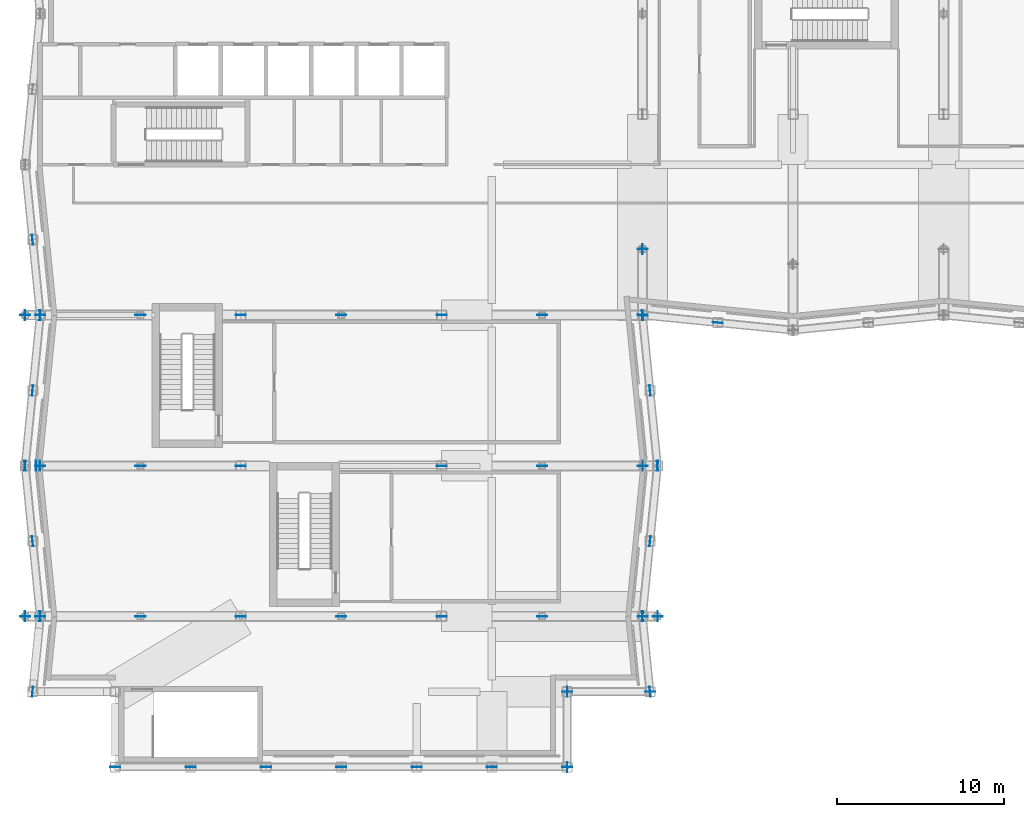
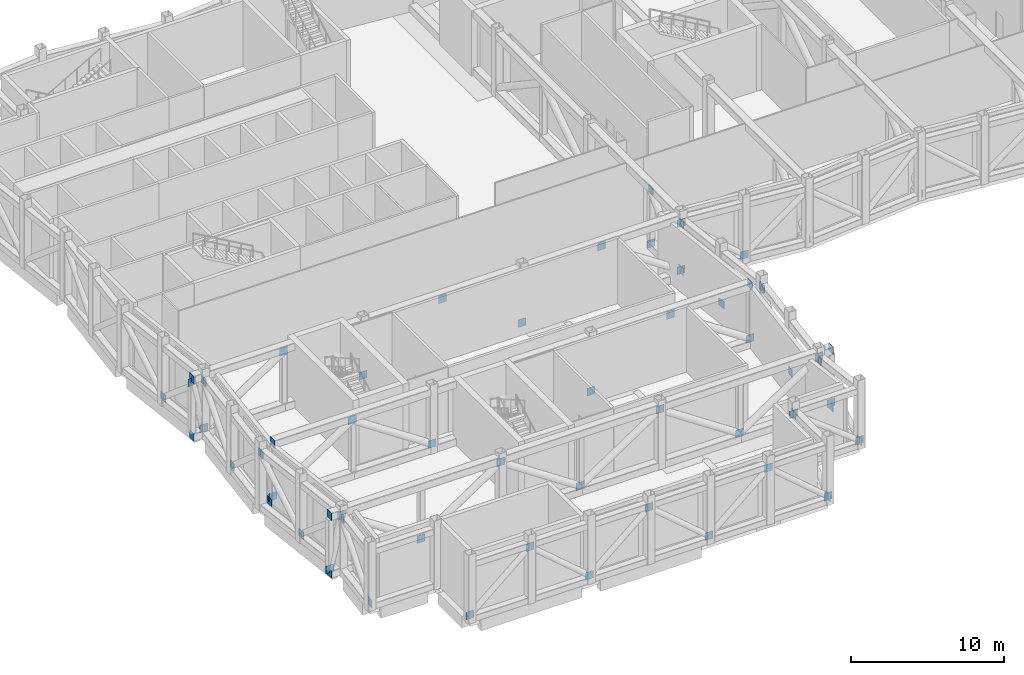
# One storey, part 14 of 22: 66 discrete accessories.
"""IFC4 building model written with IfcOpenShell, lengths in metres."""

import ifcopenshell
import ifcopenshell.guid

model = None  # the IFC model being written
_history = None  # IfcOwnerHistory: only IFC2X3 demands one
_inside = {}  # id of a spatial element -> (the spatial element, [elements in it])
_under = {}  # id of a project, library or spatial element -> (it, [spatial elements below it])
_declared = {}  # id of a project -> (the project, [libraries it declares])
_typed = {}  # id of a type object -> (the type object, [elements of that type])
_made_of = {}  # id of a material, layer set ... -> (it, [elements and type objects made of it])


def new_model(schema):
    """Start an empty IFC model of exactly this schema.

    Asked for "IFC4X3", IfcOpenShell would pick the latest addendum, in which some entities
    have other attributes; the version numbers below select the first issue.
    IFC2X3 requires an IfcOwnerHistory on every rooted entity: one is made here for all.
    """
    global model, _history
    if schema == "IFC4X3":
        model = ifcopenshell.file(schema_version=(4, 3, 0, 0))
    else:
        model = ifcopenshell.file(schema=schema)
    _inside.clear()
    _under.clear()
    _declared.clear()
    _typed.clear()
    _made_of.clear()
    _history = None
    if model.schema == "IFC2X3":
        org = make("IfcOrganization", Name="unknown")
        user = make(
            "IfcPersonAndOrganization",
            ThePerson=make("IfcPerson", FamilyName="unknown"),
            TheOrganization=org,
        )
        app = make(
            "IfcApplication",
            ApplicationDeveloper=org,
            Version="unknown",
            ApplicationFullName="unknown",
            ApplicationIdentifier="unknown",
        )
        _history = make(
            "IfcOwnerHistory",
            OwningUser=user,
            OwningApplication=app,
            ChangeAction="ADDED",
            CreationDate=0,
        )
    return model


def make(cls, **values):
    """One entity of the class cls with the attributes given. An attribute that is None is left unset."""
    return model.create_entity(
        cls, **{name: value for name, value in values.items() if value is not None}
    )


def rooted(cls, **values):
    """An entity with a GlobalId (a new one), such as an element, a storey or a relation."""
    return make(cls, GlobalId=ifcopenshell.guid.new(), OwnerHistory=_history, **values)


def si_unit(unit_type, name, prefix=None):
    """IfcSIUnit, for example si_unit("LENGTHUNIT", "METRE", prefix="MILLI")."""
    return make("IfcSIUnit", UnitType=unit_type, Prefix=prefix, Name=name)


def assignment(units):
    """IfcUnitAssignment: the units of a project."""
    return None if units is None else make("IfcUnitAssignment", Units=units)


def point(xyz):
    """IfcCartesianPoint."""
    return None if xyz is None else make("IfcCartesianPoint", Coordinates=xyz)


def direction(xyz):
    """IfcDirection."""
    return None if xyz is None else make("IfcDirection", DirectionRatios=xyz)


def frame(location, z_axis=None, x_axis=None):
    """IfcAxis2Placement3D, a coordinate frame: its origin and axes. An axis left out is left unset."""
    return make(
        "IfcAxis2Placement3D",
        Location=point(location),
        Axis=direction(z_axis),
        RefDirection=direction(x_axis),
    )


def frame_2d(location, x_axis=None):
    """IfcAxis2Placement2D, a coordinate frame in the plane: its origin and x axis."""
    return make(
        "IfcAxis2Placement2D", Location=point(location), RefDirection=direction(x_axis)
    )


def origin():
    """The frame at (0, 0, 0) with its axes left unset."""
    return frame((0.0, 0.0, 0.0))


def origin_2d():
    """The frame at (0, 0) in the plane with its x axis left unset."""
    return frame_2d((0.0, 0.0))


def place(relative_to, where):
    """IfcLocalPlacement: puts the frame where relative to a parent placement (None: the world)."""
    return make(
        "IfcLocalPlacement", PlacementRelTo=relative_to, RelativePlacement=where
    )


def context(
    kind, dimensions, precision=None, world=None, true_north=None, identifier=None
):
    """IfcGeometricRepresentationContext, for example the 3D "Model" context."""
    return make(
        "IfcGeometricRepresentationContext",
        ContextIdentifier=identifier,
        ContextType=kind,
        CoordinateSpaceDimension=dimensions,
        Precision=precision,
        WorldCoordinateSystem=world,
        TrueNorth=true_north,
    )


def subcontext(parent, identifier, kind, view, scale=None):
    """IfcGeometricRepresentationSubContext, for example "Body" below "Model"."""
    return make(
        "IfcGeometricRepresentationSubContext",
        ContextIdentifier=identifier,
        ContextType=kind,
        ParentContext=parent,
        TargetScale=scale,
        TargetView=view,
    )


def project(units=None, contexts=None):
    """IfcProject with its units and contexts."""
    return rooted(
        "IfcProject",
        Name="project",
        RepresentationContexts=contexts,
        UnitsInContext=assignment(units),
    )


def spatial(cls, under=None, at=None, **own):
    """A site, building, storey or space (cls), placed at a placement, below another one or the project."""
    s = rooted(cls, ObjectPlacement=at, **own)
    if under is not None:
        _under.setdefault(under.id(), (under, []))[1].append(s)
    return s


def profile(cls, at=None, kind="AREA", **sizes):
    """A parametric profile (cls). Its sizes go by their IFC names, for example OverallWidth=200.0."""
    return make(cls, ProfileType=kind, Position=at, **sizes)


def rectangle(**sizes):
    """IfcRectangleProfileDef."""
    return profile("IfcRectangleProfileDef", **sizes)


def extrude(swept, where, along, depth):
    """IfcExtrudedAreaSolid: the profile swept, set in the frame where, extruded along a direction by depth."""
    return make(
        "IfcExtrudedAreaSolid",
        SweptArea=swept,
        Position=where,
        ExtrudedDirection=direction(along),
        Depth=depth,
    )


def shape(context_of_items, identifier, shape_type, items):
    """IfcShapeRepresentation: the items that make up one representation, for example the "Body"."""
    return make(
        "IfcShapeRepresentation",
        ContextOfItems=context_of_items,
        RepresentationIdentifier=identifier,
        RepresentationType=shape_type,
        Items=items,
    )


def material(Name=None, Category=None):
    """IfcMaterial."""
    return make("IfcMaterial", Name=Name, Category=Category)


def layer(
    of_material, thickness, ventilated=None, Name=None, Category=None, Priority=None
):
    """IfcMaterialLayer: one layer of a wall or slab, of a material (None: an air gap)."""
    return make(
        "IfcMaterialLayer",
        Material=of_material,
        LayerThickness=thickness,
        IsVentilated=ventilated,
        Name=Name,
        Category=Category,
        Priority=Priority,
    )


def layer_set(layers, Name=None):
    """IfcMaterialLayerSet."""
    return make("IfcMaterialLayerSet", MaterialLayers=layers, LayerSetName=Name)


def made_of(thing, what):
    """Note that an element or type object is made of a material, layer set ...; save() writes the relation."""
    if what is not None:
        _made_of.setdefault(what.id(), (what, []))[1].append(thing)
    return thing


def type_object(cls, material=None, **own):
    """A type object (cls), such as IfcWallType, which elements share."""
    return made_of(rooted(cls, **own), material)


def element(
    cls,
    number,
    at=None,
    inside=None,
    cuts=None,
    type_object=None,
    material=None,
    context=None,
    identifier="Body",
    shape_type=None,
    held_by="IfcProductDefinitionShape",
    body=None,
    shapes=None,
    **own,
):
    """One element of the class cls, such as IfcWall. Its Tag is "e" and its number.

    at: its placement. inside: the storey or other place that contains it. cuts: it is an
    opening in that element (IfcRelVoidsElement). A single representation is given by context,
    identifier, shape_type and body (its items); several are given by shapes. held_by: the class
    of the entity that holds the representations. save() writes the other relations.
    """
    e = rooted(cls, Tag="e%d" % number, ObjectPlacement=at, **own)
    if body is not None:
        shapes = [shape(context, identifier, shape_type, body)]
    if shapes is not None:
        e.Representation = make(held_by, Representations=shapes)
    if inside is not None:
        _inside.setdefault(inside.id(), (inside, []))[1].append(e)
    if cuts is not None:
        rooted(
            "IfcRelVoidsElement", RelatingBuildingElement=cuts, RelatedOpeningElement=e
        )
    if type_object is not None:
        _typed.setdefault(type_object.id(), (type_object, []))[1].append(e)
    return made_of(e, material)


def aggregate(whole, parts):
    """IfcRelAggregates: a whole, such as a stair, and the parts it consists of."""
    return rooted("IfcRelAggregates", RelatingObject=whole, RelatedObjects=parts)


def save(model, path):
    """Write the relations noted so far, then the file.

    IfcRelAggregates (storeys below a building ...), IfcRelContainedInSpatialStructure (elements
    in a storey), IfcRelDefinesByType, IfcRelAssociatesMaterial and IfcRelDeclares: one each for
    every whole, place, type object, material and project.
    """
    for whole, parts in _under.values():
        aggregate(whole, parts)
    for where, things in _inside.values():
        rooted(
            "IfcRelContainedInSpatialStructure",
            RelatedElements=things,
            RelatingStructure=where,
        )
    for kind, things in _typed.values():
        rooted("IfcRelDefinesByType", RelatedObjects=things, RelatingType=kind)
    for what, things in _made_of.values():
        rooted("IfcRelAssociatesMaterial", RelatedObjects=things, RelatingMaterial=what)
    for by, libraries in _declared.values():
        rooted("IfcRelDeclares", RelatingContext=by, RelatedDefinitions=libraries)
    model.write(path)


model = new_model("IFC4")

# Units and contexts
model_context = context("Model", 3, precision=1e-05, world=origin(), true_north=direction((0.0, 1.0)))
body_context = subcontext(model_context, "Body", "Model", "MODEL_VIEW")
ifc_project = project(units=[si_unit("LENGTHUNIT", "METRE"), si_unit("AREAUNIT", "SQUARE_METRE"), si_unit("VOLUMEUNIT", "CUBIC_METRE"), si_unit("PLANEANGLEUNIT", "RADIAN"), si_unit("MASSUNIT", "GRAM", prefix="KILO")], contexts=[model_context])

# Site, building, storey
site_placement = place(None, origin())
site = spatial("IfcSite", under=ifc_project, at=site_placement, CompositionType="ELEMENT")
building_placement = place(site_placement, origin())
building = spatial("IfcBuilding", under=site, at=building_placement, Name="Brondeck Convention Tower", CompositionType="ELEMENT")
storey_placement = place(building_placement, frame((0.0, 0.0, 32.0)))
storey = spatial("IfcBuildingStorey", under=building, at=storey_placement, Name="L05", CompositionType="ELEMENT", Elevation=32.0)

# Discrete accessories
ifc_material = material(Name="Steel S460", Category="steel")
ifc_layer_1 = layer(ifc_material, 0.02490234375)
ifc_layer_set_1 = layer_set([ifc_layer_1], Name="End plate 600x600x25 Steel S460")
discrete_accessory_type_1 = type_object("IfcDiscreteAccessoryType", Name="End plate 600x600x25 Steel S460", PredefinedType="BRACKET", material=ifc_layer_set_1)
for number, where, z_axis, x_axis, name in (
    (1, (36.0, 30.96044921875, 0.0), (0.0, 0.0, 1.0), (-1.0, 0.0, 0.0), "End plate EP-8"),
    (2, (-0.910400390625, 27.0, 0.0), (0.0, 0.0, 1.0), (0.0, -1.0, 0.0), "End plate EP-12"),
    (3, (-0.910400390625, 27.0, 4.599853515625), (0.0, 0.0, 1.0), (0.0, -1.0, 0.0), "End plate EP-13"),
    (4, (-0.240478515625, 18.0, 0.0), (0.0, 0.0, 1.0), (0.0, -1.0, 0.0), "End plate EP-14"),
    (5, (36.010498046875, 18.0, 4.599853515625), (0.0, 0.0, 1.0), (0.0, 1.0, 0.0), "End plate EP-15"),
    (6, (-0.010498046875, 18.0, 4.599853515625), (0.0, 0.0, 1.0), (0.0, -1.0, 0.0), "End plate EP-16"),
    (7, (36.910400390625, 9.0, 0.0), (0.0, 0.0, 1.0), (0.0, 1.0, 0.0), "End plate EP-17"),
    (8, (-0.910400390625, 9.0, 0.0), (0.0, 0.0, 1.0), (0.0, -1.0, 0.0), "End plate EP-18"),
    (9, (36.910400390625, 9.0, 4.599853515625), (0.0, 0.0, 1.0), (0.0, 1.0, 0.0), "End plate EP-19"),
    (10, (-0.910400390625, 9.0, 4.599853515625), (0.0, 0.0, 1.0), (0.0, -1.0, 0.0), "End plate EP-20"),
):
    element("IfcDiscreteAccessory", number, at=place(storey_placement, frame(where, z_axis=z_axis, x_axis=x_axis)), inside=storey, type_object=discrete_accessory_type_1, Name=name, PredefinedType="BRACKET", context=body_context, shape_type="SweptSolid", body=[
        extrude(rectangle(XDim=0.60009765625, YDim=0.02490234375, at=origin_2d()), origin(), (0.0, 0.0, 1.0), 0.60009765625),
    ])
ifc_layer_2 = layer(ifc_material, 0.02490234375)
ifc_layer_set_2 = layer_set([ifc_layer_2], Name="Gusset plate 600x600x25 Steel S460")
discrete_accessory_type_2 = type_object("IfcDiscreteAccessoryType", Name="Gusset plate 600x600x25 Steel S460", PredefinedType="BRACKET", material=ifc_layer_set_2)
for number, where, z_axis, x_axis, name in (
    (11, (4.5, 0.0, 0.199951171875), (0.0, 0.0, 1.0), (1.0, 0.0, 0.0), "Gusset plate GP-1"),
    (12, (9.0, 0.0, 4.050048828125), (0.0, 0.0, 1.0), (1.0, 0.0, 0.0), "Gusset plate GP-2"),
    (13, (13.5, 0.0, 0.199951171875), (0.0, 0.0, 1.0), (1.0, 0.0, 0.0), "Gusset plate GP-3"),
    (14, (18.0, 0.0, 4.050048828125), (0.0, 0.0, 1.0), (1.0, 0.0, 0.0), "Gusset plate GP-4"),
    (15, (22.5, 0.0, 0.199951171875), (0.0, 0.0, 1.0), (1.0, 0.0, 0.0), "Gusset plate GP-5"),
    (16, (27.0, 0.0, 4.050048828125), (0.0, 0.0, 1.0), (1.0, 0.0, 0.0), "Gusset plate GP-6"),
    (17, (31.5, 0.0, 0.199951171875), (0.0, 0.0, 1.0), (1.0, 0.0, 0.0), "Gusset plate GP-7"),
    (18, (31.5, 0.0, 0.199951171875), (0.0, 0.0, 1.0), (0.0, 1.0, 0.0), "Gusset plate GP-8"),
    (19, (31.5, 4.5, 4.050048828125), (0.0, 0.0, 1.0), (0.0, 1.0, 0.0), "Gusset plate GP-9"),
    (20, (31.5, 4.5, 4.050048828125), (0.0, 0.0, 1.0), (1.0, 0.0, 0.0), "Gusset plate GP-10"),
    (21, (36.449951171875, 4.5, 0.199951171875), (0.0, 0.0, 1.0), (1.0, 0.0, 0.0), "Gusset plate GP-11"),
    (22, (36.449951171875, 4.5, 0.199951171875), (0.0, 0.0, 1.0), (-0.099510784867, 0.9950364836, 0.0), "Gusset plate GP-12"),
    (23, (36.0, 9.0, 4.050048828125), (0.0, 0.0, 1.0), (-0.099510784867, 0.9950364836, 0.0), "Gusset plate GP-13"),
    (24, (36.0, 9.0, 4.050048828125), (0.0, 0.0, 1.0), (0.099510784867, 0.9950364836, 0.0), "Gusset plate GP-14"),
    (25, (36.449951171875, 13.5, 0.199951171875), (0.0, 0.0, 1.0), (0.099510784867, 0.9950364836, 0.0), "Gusset plate GP-15"),
    (26, (36.89990234375, 18.0, 4.050048828125), (0.0, 0.0, 1.0), (0.099510784867, 0.9950364836, 0.0), "Gusset plate GP-16"),
    (27, (36.89990234375, 18.0, 4.050048828125), (0.0, 0.0, 1.0), (-0.099510784867, 0.9950364836, 0.0), "Gusset plate GP-17"),
    (28, (36.449951171875, 22.5, 0.199951171875), (0.0, 0.0, 1.0), (-0.099510784867, 0.9950364836, 0.0), "Gusset plate GP-18"),
    (29, (36.0, 27.0, 4.050048828125), (0.0, 0.0, 1.0), (-0.099510784867, 0.9950364836, 0.0), "Gusset plate GP-19"),
    (30, (36.0, 27.0, 4.050048828125), (0.0, 0.0, 1.0), (-0.9950364836, 0.099510784867, 0.0), "Gusset plate GP-20"),
    (31, (40.5, 26.550048828125, 0.199951171875), (0.0, 0.0, 1.0), (-0.9950364836, 0.099510784867, 0.0), "Gusset plate GP-21"),
    (32, (-0.449951171875, 31.5, 0.199951171875), (0.0, 0.0, 1.0), (-0.099510784867, 0.9950364836, 0.0), "Gusset plate GP-75"),
    (33, (0.0, 27.0, 4.050048828125), (0.0, 0.0, 1.0), (-0.099510784867, 0.9950364836, 0.0), "Gusset plate GP-76"),
    (34, (0.0, 27.0, 4.050048828125), (0.0, 0.0, 1.0), (0.099510784867, 0.9950364836, 0.0), "Gusset plate GP-77"),
    (35, (-0.449951171875, 22.5, 0.199951171875), (0.0, 0.0, 1.0), (0.099510784867, 0.9950364836, 0.0), "Gusset plate GP-78"),
    (36, (-0.89990234375, 18.0, 4.050048828125), (0.0, 0.0, 1.0), (0.099510784867, 0.9950364836, 0.0), "Gusset plate GP-79"),
    (37, (-0.89990234375, 18.0, 4.050048828125), (0.0, 0.0, 1.0), (-0.099510784867, 0.9950364836, 0.0), "Gusset plate GP-80"),
    (38, (-0.449951171875, 13.5, 0.199951171875), (0.0, 0.0, 1.0), (-0.099510784867, 0.9950364836, 0.0), "Gusset plate GP-81"),
    (39, (0.0, 9.0, 4.050048828125), (0.0, 0.0, 1.0), (-0.099510784867, 0.9950364836, 0.0), "Gusset plate GP-82"),
    (40, (0.0, 9.0, 4.050048828125), (0.0, 0.0, 1.0), (0.099510784867, 0.9950364836, 0.0), "Gusset plate GP-83"),
    (41, (-0.449951171875, 4.5, 0.199951171875), (0.0, 0.0, 1.0), (0.099510784867, 0.9950364836, 0.0), "Gusset plate GP-84"),
    (42, (36.0, 27.0, 0.300048828125), (0.0, 0.0, 1.0), (0.0, 1.0, 0.0), "Gusset plate GP-85"),
    (43, (36.0, 30.949951171875, 4.300048828125), (0.0, 0.0, 1.0), (0.0, 1.0, 0.0), "Gusset plate GP-86"),
    (44, (36.0, 27.0, 0.300048828125), (0.0, 0.0, 1.0), (1.0, 0.0, 0.0), "Gusset plate GP-111"),
    (45, (30.0, 27.0, 4.300048828125), (0.0, 0.0, 1.0), (1.0, 0.0, 0.0), "Gusset plate GP-112"),
    (46, (24.0, 27.0, 0.300048828125), (0.0, 0.0, 1.0), (1.0, 0.0, 0.0), "Gusset plate GP-113"),
    (47, (18.0, 27.0, 4.300048828125), (0.0, 0.0, 1.0), (1.0, 0.0, 0.0), "Gusset plate GP-114"),
    (48, (12.0, 27.0, 0.300048828125), (0.0, 0.0, 1.0), (1.0, 0.0, 0.0), "Gusset plate GP-115"),
    (49, (6.0, 27.0, 4.300048828125), (0.0, 0.0, 1.0), (1.0, 0.0, 0.0), "Gusset plate GP-116"),
    (50, (0.0, 27.0, 0.300048828125), (0.0, 0.0, 1.0), (1.0, 0.0, 0.0), "Gusset plate GP-117"),
    (51, (-0.89990234375, 27.0, 4.300048828125), (0.0, 0.0, 1.0), (1.0, 0.0, 0.0), "Gusset plate GP-118"),
    (52, (36.0, 18.0, 0.300048828125), (0.0, 0.0, 1.0), (1.0, 0.0, 0.0), "Gusset plate GP-119"),
    (53, (30.0, 18.0, 4.300048828125), (0.0, 0.0, 1.0), (1.0, 0.0, 0.0), "Gusset plate GP-120"),
    (54, (24.0, 18.0, 0.300048828125), (0.0, 0.0, 1.0), (1.0, 0.0, 0.0), "Gusset plate GP-121"),
    (55, (12.0, 18.0, 0.300048828125), (0.0, 0.0, 1.0), (1.0, 0.0, 0.0), "Gusset plate GP-122"),
    (56, (6.0, 18.0, 4.300048828125), (0.0, 0.0, 1.0), (1.0, 0.0, 0.0), "Gusset plate GP-123"),
    (57, (0.0, 18.0, 0.300048828125), (0.0, 0.0, 1.0), (1.0, 0.0, 0.0), "Gusset plate GP-124"),
    (58, (36.89990234375, 9.0, 0.300048828125), (0.0, 0.0, 1.0), (1.0, 0.0, 0.0), "Gusset plate GP-125"),
    (59, (36.0, 9.0, 4.300048828125), (0.0, 0.0, 1.0), (1.0, 0.0, 0.0), "Gusset plate GP-126"),
    (60, (30.0, 9.0, 0.300048828125), (0.0, 0.0, 1.0), (1.0, 0.0, 0.0), "Gusset plate GP-127"),
    (61, (24.0, 9.0, 4.300048828125), (0.0, 0.0, 1.0), (1.0, 0.0, 0.0), "Gusset plate GP-128"),
    (62, (18.0, 9.0, 0.300048828125), (0.0, 0.0, 1.0), (1.0, 0.0, 0.0), "Gusset plate GP-129"),
    (63, (12.0, 9.0, 4.300048828125), (0.0, 0.0, 1.0), (1.0, 0.0, 0.0), "Gusset plate GP-130"),
    (64, (6.0, 9.0, 0.300048828125), (0.0, 0.0, 1.0), (1.0, 0.0, 0.0), "Gusset plate GP-131"),
    (65, (0.0, 9.0, 4.300048828125), (0.0, 0.0, 1.0), (1.0, 0.0, 0.0), "Gusset plate GP-132"),
    (66, (-0.89990234375, 9.0, 0.300048828125), (0.0, 0.0, 1.0), (1.0, 0.0, 0.0), "Gusset plate GP-133"),
):
    element("IfcDiscreteAccessory", number, at=place(storey_placement, frame(where, z_axis=z_axis, x_axis=x_axis)), inside=storey, type_object=discrete_accessory_type_2, Name=name, PredefinedType="BRACKET", context=body_context, shape_type="SweptSolid", body=[
        extrude(rectangle(XDim=0.60009765625, YDim=0.02490234375, at=origin_2d()), origin(), (0.0, 0.0, 1.0), 0.60009765625),
    ])

save(model, "model.ifc")
